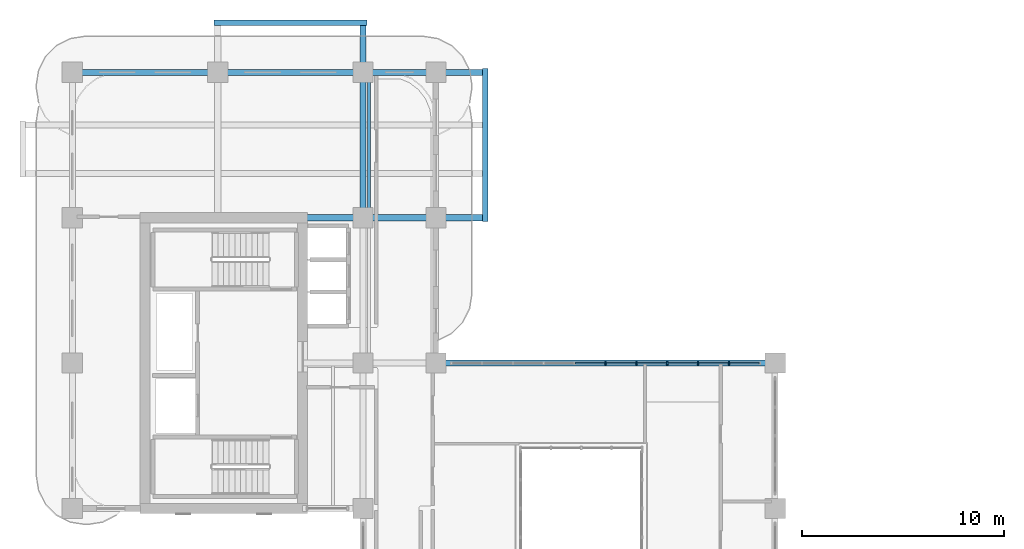
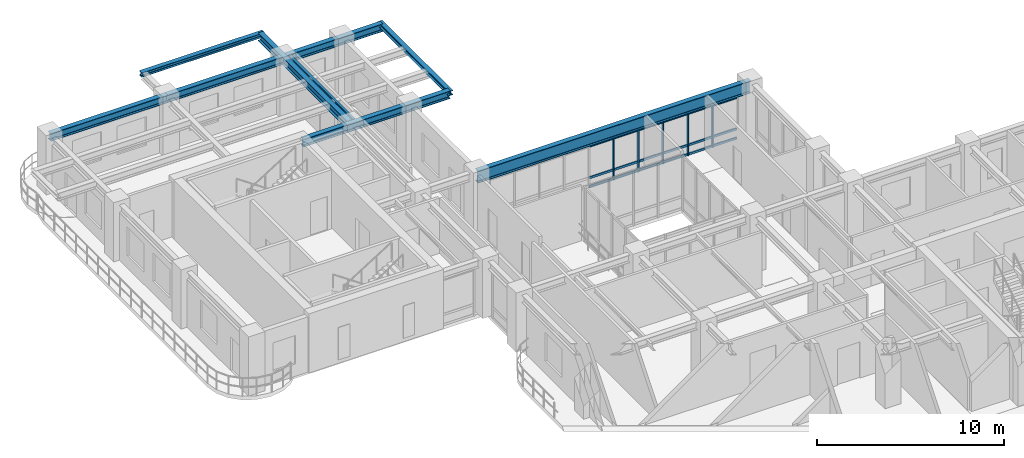
# One storey, part 6 of 19: 23 members, 8 beams, 1 element without a shape of its own.
"""IFC4 building model written with IfcOpenShell, lengths in metres."""

from ifc_helpers import new_model, si_unit, derived_unit, direction, frame, origin, origin_2d, place, context, subcontext, project, spatial, rectangle, i_section, extrude, source, transform, mapped, material, layer, layer_set, material_profile, profile_set, type_object, type_shapes, element, aggregate, save


model = new_model("IFC4")

# Units and contexts
model_context = context("Model", 3, precision=1e-05, world=origin(), true_north=direction((0.0, 1.0)))
body_context = subcontext(model_context, "Body", "Model", "MODEL_VIEW")
ifc_project = project(units=[si_unit("LENGTHUNIT", "METRE"), si_unit("AREAUNIT", "SQUARE_METRE"), si_unit("VOLUMEUNIT", "CUBIC_METRE"), si_unit("PLANEANGLEUNIT", "RADIAN"), si_unit("MASSUNIT", "GRAM", prefix="KILO"), si_unit("THERMODYNAMICTEMPERATUREUNIT", "KELVIN"), si_unit("POWERUNIT", "WATT"), derived_unit("THERMALTRANSMITTANCEUNIT", [(si_unit("POWERUNIT", "WATT"), 1), (si_unit("AREAUNIT", "SQUARE_METRE"), -1), (si_unit("THERMODYNAMICTEMPERATUREUNIT", "KELVIN"), -1)])], contexts=[model_context])

# Site, building, storey
site_placement = place(None, origin())
site = spatial("IfcSite", under=ifc_project, at=site_placement, CompositionType="ELEMENT")
building_placement = place(site_placement, origin())
building = spatial("IfcBuilding", under=site, at=building_placement, Name="Zahravan Archway Hotel and Residences", CompositionType="ELEMENT")
storey_placement = place(building_placement, frame((0.0, 0.0, 158.0)))
storey = spatial("IfcBuildingStorey", under=building, at=storey_placement, Name="L39", CompositionType="ELEMENT", Elevation=158.0)

# Beams
ifc_material_1 = material(Name="Structural Steel S355JR", Category="steel")
ifc_material_profile_1 = material_profile(ifc_material_1, i_section(OverallWidth=0.280029296875, OverallDepth=0.280029296875, WebThickness=0.010498046875, FlangeThickness=0.01806640625, FilletRadius=0.02392578125, at=origin_2d()), Name="HEB 280", Category="steel")
ifc_profile_set_1 = profile_set([ifc_material_profile_1], Name="Structural Steel S355JR")
beam_type_1 = type_object("IfcBeamType", Name="BM-SPN-HEB280", PredefinedType="SPANDREL", material=ifc_profile_set_1)
shared_shape_1 = source(origin(), body_context, "Body", "SweptSolid", [
    extrude(i_section(OverallWidth=0.280029296875, OverallDepth=0.280029296875, WebThickness=0.010498046875, FlangeThickness=0.01806640625, FilletRadius=0.02392578125, at=origin_2d()), origin(), (0.0, 0.0, 1.0), 7.56005859375),
])
type_shapes(beam_type_1, [shared_shape_1])
for number, where, z_axis, x_axis, name in (
    (1, (20.449951171875, 39.419921875, 3.4599609375), (0.0, 1.0, 0.0), (-1.0, 0.0, 0.0), "L40 EB Balcony Edge Spandrel"),
    (2, (7.02001953125, 49.25, 3.4599609375), (1.0, 0.0, 0.0), (0.0, 1.0, 0.0), "L40 NB Balcony Edge Spandrel"),
):
    element("IfcBeam", number, at=place(storey_placement, frame(where, z_axis=z_axis, x_axis=x_axis)), inside=storey, type_object=beam_type_1, Name=name, PredefinedType="SPANDREL", context=body_context, shape_type="MappedRepresentation", body=[
        mapped(shared_shape_1, transform((0.0, 0.0, 0.0), scale=1.0)),
    ])
ifc_material_2 = material(Name="Structural Steel S355J2", Category="steel")
ifc_material_profile_2 = material_profile(ifc_material_2, i_section(OverallWidth=0.300048828125, OverallDepth=0.800048828125, WebThickness=0.017578125, FlangeThickness=0.032958984375, FilletRadius=0.030029296875, at=origin_2d()), Name="HEB 800", Category="steel")
ifc_profile_set_2 = profile_set([ifc_material_profile_2], Name="Structural Steel S355J2")
beam_type_2 = type_object("IfcBeamType", Name="BM-PRI-HEB800", PredefinedType="BEAM", material=ifc_profile_set_2)
shared_shape_2 = source(origin(), body_context, "Body", "SweptSolid", [
    extrude(i_section(OverallWidth=0.300048828125, OverallDepth=0.800048828125, WebThickness=0.017578125, FlangeThickness=0.032958984375, FilletRadius=0.030029296875, at=origin_2d()), origin(), (0.0, 0.0, 1.0), 16.800048828125),
])
type_shapes(beam_type_2, [shared_shape_2])
beam_1_placement = place(storey_placement, frame((18.0, 32.39990234375, 3.199951171875), z_axis=(1.0, 0.0, 0.0), x_axis=(0.0, 1.0, 0.0)))
element("IfcBeam", 3, at=beam_1_placement, inside=storey, type_object=beam_type_2, Name="L39 Primary Girder EW-18", PredefinedType="BEAM", context=body_context, shape_type="MappedRepresentation", body=[
    mapped(shared_shape_2, transform((0.0, 0.0, 0.0), scale=1.0)),
])
ifc_material_profile_3 = material_profile(ifc_material_1, i_section(OverallWidth=0.300048828125, OverallDepth=0.5, WebThickness=0.014404296875, FlangeThickness=0.028076171875, FilletRadius=0.027099609375, at=origin_2d()), Name="HEB 500", Category="steel")
ifc_profile_set_3 = profile_set([ifc_material_profile_3], Name="Structural Steel S355JR")
beam_type_3 = type_object("IfcBeamType", Name="BM-PRI-HEB500", PredefinedType="BEAM", material=ifc_profile_set_3)
shared_shape_3 = source(origin(), body_context, "Body", "SweptSolid", [
    extrude(i_section(OverallWidth=0.300048828125, OverallDepth=0.5, WebThickness=0.014404296875, FlangeThickness=0.028076171875, FilletRadius=0.027099609375, at=origin_2d()), origin(), (0.0, 0.0, 1.0), 7.199951171875),
])
beam_2_placement = place(storey_placement, frame((0.0, 46.800048828125, 3.35009765625), z_axis=(1.0, 0.0, 0.0), x_axis=(0.0, 1.0, 0.0)))
element("IfcBeam", 4, at=beam_2_placement, inside=storey, type_object=beam_type_3, Name="L39 Primary Girder EW-20", PredefinedType="BEAM", context=body_context, shape_type="MappedRepresentation", body=[
    mapped(shared_shape_3, transform((0.0, 0.0, 0.0), scale=1.0)),
])
shared_shape_4 = source(origin(), body_context, "Body", "SweptSolid", [
    extrude(i_section(OverallWidth=0.300048828125, OverallDepth=0.5, WebThickness=0.014404296875, FlangeThickness=0.028076171875, FilletRadius=0.027099609375, at=origin_2d()), origin(), (0.0, 0.0, 1.0), 9.050048828125),
])
beam_3_placement = place(storey_placement, frame((11.39990234375, 39.60009765625, 3.35009765625), z_axis=(1.0, 0.0, 0.0), x_axis=(0.0, 1.0, 0.0)))
element("IfcBeam", 5, at=beam_3_placement, inside=storey, type_object=beam_type_3, Name="L39 Primary Girder EW-19", PredefinedType="BEAM", context=body_context, shape_type="MappedRepresentation", body=[
    mapped(shared_shape_4, transform((0.0, 0.0, 0.0), scale=1.0)),
])
shared_shape_5 = source(origin(), body_context, "Body", "SweptSolid", [
    extrude(i_section(OverallWidth=0.300048828125, OverallDepth=0.5, WebThickness=0.014404296875, FlangeThickness=0.028076171875, FilletRadius=0.027099609375, at=origin_2d()), origin(), (0.0, 0.0, 1.0), 13.25),
])
beam_4_placement = place(storey_placement, frame((7.199951171875, 46.800048828125, 3.35009765625), z_axis=(1.0, 0.0, 0.0), x_axis=(0.0, 1.0, 0.0)))
element("IfcBeam", 6, at=beam_4_placement, inside=storey, type_object=beam_type_3, Name="L39 Primary Girder EW-21", PredefinedType="BEAM", context=body_context, shape_type="MappedRepresentation", body=[
    mapped(shared_shape_5, transform((0.0, 0.0, 0.0), scale=1.0)),
])
shared_shape_6 = source(origin(), body_context, "Body", "SweptSolid", [
    extrude(i_section(OverallWidth=0.300048828125, OverallDepth=0.5, WebThickness=0.014404296875, FlangeThickness=0.028076171875, FilletRadius=0.027099609375, at=origin_2d()), origin(), (0.0, 0.0, 1.0), 9.64990234375),
])
beam_5_placement = place(storey_placement, frame((14.39990234375, 39.60009765625, 3.35009765625), z_axis=(0.0, 1.0, 0.0), x_axis=(-1.0, 0.0, 0.0)))
element("IfcBeam", 7, at=beam_5_placement, inside=storey, type_object=beam_type_3, Name="L39 Primary Girder NS-34", PredefinedType="BEAM", context=body_context, shape_type="MappedRepresentation", body=[
    mapped(shared_shape_6, transform((0.0, 0.0, 0.0), scale=1.0)),
])
ifc_material_profile_4 = material_profile(ifc_material_1, i_section(OverallWidth=0.14990234375, OverallDepth=0.300048828125, WebThickness=0.007080078125, FlangeThickness=0.0107421875, FilletRadius=0.014892578125, at=origin_2d()), Name="IPE 300", Category="steel")
ifc_profile_set_4 = profile_set([ifc_material_profile_4], Name="Structural Steel S355JR")
beam_type_4 = type_object("IfcBeamType", Name="BM-JST-IPE300", PredefinedType="JOIST", material=ifc_profile_set_4)
shared_shape_7 = source(origin(), body_context, "Body", "SweptSolid", [
    extrude(i_section(OverallWidth=0.14990234375, OverallDepth=0.300048828125, WebThickness=0.007080078125, FlangeThickness=0.0107421875, FilletRadius=0.014892578125, at=origin_2d()), origin(), (0.0, 0.0, 1.0), 6.904052734375),
])
type_shapes(beam_type_4, [shared_shape_7])
beam_6_placement = place(storey_placement, frame((14.699951171875, 39.748046875, 3.449951171875), z_axis=(0.0, 1.0, 0.0), x_axis=(-1.0, 0.0, 0.0)))
element("IfcBeam", 8, at=beam_6_placement, inside=storey, type_object=beam_type_4, Name="L39 Composite Floor Joist 12", PredefinedType="JOIST", context=body_context, shape_type="MappedRepresentation", body=[
    mapped(shared_shape_7, transform((0.0, 0.0, 0.0), scale=1.0)),
])

# Curtain wall, members
ifc_material_3 = material(Name="Bronze-Anodized Unitised Aluminium & Low-E Glass", Category="aluminium")
ifc_layer = layer(ifc_material_3, 0.179931640625, Name="Bronze-Anodized Unitised Aluminium & Low-E Glass", Category="aluminium")
ifc_layer_set = layer_set([ifc_layer], Name="Bronze-Anodized Unitised Aluminium & Low-E Glass")
curtain_wall_type = type_object("IfcCurtainWallType", Name="CW-ATR-GLAZ", PredefinedType="NOTDEFINED", material=ifc_layer_set)
curtain_wall_placement = place(storey_placement, origin())
curtain_wall = element("IfcCurtainWall", 9, at=curtain_wall_placement, inside=storey, type_object=curtain_wall_type, Name="L39 Curtain Wall CW-L39-HNG-N-1", PredefinedType="NOTDEFINED")
ifc_material_4 = material(Name="Bronze-Anodized Extruded Aluminium", Category="aluminium")
ifc_material_profile_5 = material_profile(ifc_material_4, rectangle(XDim=0.080078125, YDim=0.139892578125, at=origin_2d()), Name="TRN 80x140", Category="aluminium")
ifc_profile_set_5 = profile_set([ifc_material_profile_5], Name="Bronze-Anodized Extruded Aluminium")
member_type_1 = type_object("IfcMemberType", Name="CWM-TRN-140", PredefinedType="USERDEFINED", material=ifc_profile_set_5)
shared_shape_8 = source(origin(), body_context, "Body", "SweptSolid", [
    extrude(rectangle(XDim=0.080078125, YDim=0.139892578125, at=origin_2d()), origin(), (0.0, 0.0, 1.0), 1.447998046875),
])
member_1_placement = place(storey_placement, frame((24.912109375, 32.39990234375, 0.070068359375), z_axis=(1.0, 0.0, 0.0), x_axis=(0.0, 1.0, 0.0)))
member_1 = element("IfcMember", 10, at=member_1_placement, type_object=member_type_1, Name="CW-L39-HNG-N-1 Transom 4-1", ObjectType="TRANSOM", PredefinedType="USERDEFINED", context=body_context, shape_type="MappedRepresentation", body=[
    mapped(shared_shape_8, transform((0.0, 0.0, 0.0), scale=1.0)),
])
member_2_placement = place(storey_placement, frame((24.912109375, 32.39990234375, 0.66845703125), z_axis=(1.0, 0.0, 0.0), x_axis=(0.0, 1.0, 0.0)))
member_2 = element("IfcMember", 11, at=member_2_placement, type_object=member_type_1, Name="CW-L39-HNG-N-1 Transom 4-2", ObjectType="TRANSOM", PredefinedType="USERDEFINED", context=body_context, shape_type="MappedRepresentation", body=[
    mapped(shared_shape_8, transform((0.0, 0.0, 0.0), scale=1.0)),
])
member_3_placement = place(storey_placement, frame((24.912109375, 32.39990234375, 2.715087890625), z_axis=(1.0, 0.0, 0.0), x_axis=(0.0, 1.0, 0.0)))
member_3 = element("IfcMember", 12, at=member_3_placement, type_object=member_type_1, Name="CW-L39-HNG-N-1 Transom 4-3", ObjectType="TRANSOM", PredefinedType="USERDEFINED", context=body_context, shape_type="MappedRepresentation", body=[
    mapped(shared_shape_8, transform((0.0, 0.0, 0.0), scale=1.0)),
])
member_4_placement = place(storey_placement, frame((26.43994140625, 32.39990234375, 0.070068359375), z_axis=(1.0, 0.0, 0.0), x_axis=(0.0, 1.0, 0.0)))
member_4 = element("IfcMember", 13, at=member_4_placement, type_object=member_type_1, Name="CW-L39-HNG-N-1 Transom 5-1", ObjectType="TRANSOM", PredefinedType="USERDEFINED", context=body_context, shape_type="MappedRepresentation", body=[
    mapped(shared_shape_8, transform((0.0, 0.0, 0.0), scale=1.0)),
])
member_5_placement = place(storey_placement, frame((26.43994140625, 32.39990234375, 0.66845703125), z_axis=(1.0, 0.0, 0.0), x_axis=(0.0, 1.0, 0.0)))
member_5 = element("IfcMember", 14, at=member_5_placement, type_object=member_type_1, Name="CW-L39-HNG-N-1 Transom 5-2", ObjectType="TRANSOM", PredefinedType="USERDEFINED", context=body_context, shape_type="MappedRepresentation", body=[
    mapped(shared_shape_8, transform((0.0, 0.0, 0.0), scale=1.0)),
])
member_6_placement = place(storey_placement, frame((26.43994140625, 32.39990234375, 2.715087890625), z_axis=(1.0, 0.0, 0.0), x_axis=(0.0, 1.0, 0.0)))
member_6 = element("IfcMember", 15, at=member_6_placement, type_object=member_type_1, Name="CW-L39-HNG-N-1 Transom 5-3", ObjectType="TRANSOM", PredefinedType="USERDEFINED", context=body_context, shape_type="MappedRepresentation", body=[
    mapped(shared_shape_8, transform((0.0, 0.0, 0.0), scale=1.0)),
])
member_7_placement = place(storey_placement, frame((27.968017578125, 32.39990234375, 0.070068359375), z_axis=(1.0, 0.0, 0.0), x_axis=(0.0, 1.0, 0.0)))
member_7 = element("IfcMember", 16, at=member_7_placement, type_object=member_type_1, Name="CW-L39-HNG-N-1 Transom 6-1", ObjectType="TRANSOM", PredefinedType="USERDEFINED", context=body_context, shape_type="MappedRepresentation", body=[
    mapped(shared_shape_8, transform((0.0, 0.0, 0.0), scale=1.0)),
])
member_8_placement = place(storey_placement, frame((27.968017578125, 32.39990234375, 0.66845703125), z_axis=(1.0, 0.0, 0.0), x_axis=(0.0, 1.0, 0.0)))
member_8 = element("IfcMember", 17, at=member_8_placement, type_object=member_type_1, Name="CW-L39-HNG-N-1 Transom 6-2", ObjectType="TRANSOM", PredefinedType="USERDEFINED", context=body_context, shape_type="MappedRepresentation", body=[
    mapped(shared_shape_8, transform((0.0, 0.0, 0.0), scale=1.0)),
])
member_9_placement = place(storey_placement, frame((27.968017578125, 32.39990234375, 2.715087890625), z_axis=(1.0, 0.0, 0.0), x_axis=(0.0, 1.0, 0.0)))
member_9 = element("IfcMember", 18, at=member_9_placement, type_object=member_type_1, Name="CW-L39-HNG-N-1 Transom 6-3", ObjectType="TRANSOM", PredefinedType="USERDEFINED", context=body_context, shape_type="MappedRepresentation", body=[
    mapped(shared_shape_8, transform((0.0, 0.0, 0.0), scale=1.0)),
])
member_10_placement = place(storey_placement, frame((29.49609375, 32.39990234375, 0.070068359375), z_axis=(1.0, 0.0, 0.0), x_axis=(0.0, 1.0, 0.0)))
member_10 = element("IfcMember", 19, at=member_10_placement, type_object=member_type_1, Name="CW-L39-HNG-N-1 Transom 7-1", ObjectType="TRANSOM", PredefinedType="USERDEFINED", context=body_context, shape_type="MappedRepresentation", body=[
    mapped(shared_shape_8, transform((0.0, 0.0, 0.0), scale=1.0)),
])
member_11_placement = place(storey_placement, frame((29.49609375, 32.39990234375, 0.66845703125), z_axis=(1.0, 0.0, 0.0), x_axis=(0.0, 1.0, 0.0)))
member_11 = element("IfcMember", 20, at=member_11_placement, type_object=member_type_1, Name="CW-L39-HNG-N-1 Transom 7-2", ObjectType="TRANSOM", PredefinedType="USERDEFINED", context=body_context, shape_type="MappedRepresentation", body=[
    mapped(shared_shape_8, transform((0.0, 0.0, 0.0), scale=1.0)),
])
member_12_placement = place(storey_placement, frame((29.49609375, 32.39990234375, 2.715087890625), z_axis=(1.0, 0.0, 0.0), x_axis=(0.0, 1.0, 0.0)))
member_12 = element("IfcMember", 21, at=member_12_placement, type_object=member_type_1, Name="CW-L39-HNG-N-1 Transom 7-3", ObjectType="TRANSOM", PredefinedType="USERDEFINED", context=body_context, shape_type="MappedRepresentation", body=[
    mapped(shared_shape_8, transform((0.0, 0.0, 0.0), scale=1.0)),
])
member_13_placement = place(storey_placement, frame((31.02392578125, 32.39990234375, 0.070068359375), z_axis=(1.0, 0.0, 0.0), x_axis=(0.0, 1.0, 0.0)))
member_13 = element("IfcMember", 22, at=member_13_placement, type_object=member_type_1, Name="CW-L39-HNG-N-1 Transom 8-1", ObjectType="TRANSOM", PredefinedType="USERDEFINED", context=body_context, shape_type="MappedRepresentation", body=[
    mapped(shared_shape_8, transform((0.0, 0.0, 0.0), scale=1.0)),
])
member_14_placement = place(storey_placement, frame((31.02392578125, 32.39990234375, 0.66845703125), z_axis=(1.0, 0.0, 0.0), x_axis=(0.0, 1.0, 0.0)))
member_14 = element("IfcMember", 23, at=member_14_placement, type_object=member_type_1, Name="CW-L39-HNG-N-1 Transom 8-2", ObjectType="TRANSOM", PredefinedType="USERDEFINED", context=body_context, shape_type="MappedRepresentation", body=[
    mapped(shared_shape_8, transform((0.0, 0.0, 0.0), scale=1.0)),
])
member_15_placement = place(storey_placement, frame((31.02392578125, 32.39990234375, 2.715087890625), z_axis=(1.0, 0.0, 0.0), x_axis=(0.0, 1.0, 0.0)))
member_15 = element("IfcMember", 24, at=member_15_placement, type_object=member_type_1, Name="CW-L39-HNG-N-1 Transom 8-3", ObjectType="TRANSOM", PredefinedType="USERDEFINED", context=body_context, shape_type="MappedRepresentation", body=[
    mapped(shared_shape_8, transform((0.0, 0.0, 0.0), scale=1.0)),
])
member_16_placement = place(storey_placement, frame((32.552001953125, 32.39990234375, 0.070068359375), z_axis=(1.0, 0.0, 0.0), x_axis=(0.0, 1.0, 0.0)))
member_16 = element("IfcMember", 25, at=member_16_placement, type_object=member_type_1, Name="CW-L39-HNG-N-1 Transom 9-1", ObjectType="TRANSOM", PredefinedType="USERDEFINED", context=body_context, shape_type="MappedRepresentation", body=[
    mapped(shared_shape_8, transform((0.0, 0.0, 0.0), scale=1.0)),
])
member_17_placement = place(storey_placement, frame((32.552001953125, 32.39990234375, 0.66845703125), z_axis=(1.0, 0.0, 0.0), x_axis=(0.0, 1.0, 0.0)))
member_17 = element("IfcMember", 26, at=member_17_placement, type_object=member_type_1, Name="CW-L39-HNG-N-1 Transom 9-2", ObjectType="TRANSOM", PredefinedType="USERDEFINED", context=body_context, shape_type="MappedRepresentation", body=[
    mapped(shared_shape_8, transform((0.0, 0.0, 0.0), scale=1.0)),
])
member_18_placement = place(storey_placement, frame((32.552001953125, 32.39990234375, 2.715087890625), z_axis=(1.0, 0.0, 0.0), x_axis=(0.0, 1.0, 0.0)))
member_18 = element("IfcMember", 27, at=member_18_placement, type_object=member_type_1, Name="CW-L39-HNG-N-1 Transom 9-3", ObjectType="TRANSOM", PredefinedType="USERDEFINED", context=body_context, shape_type="MappedRepresentation", body=[
    mapped(shared_shape_8, transform((0.0, 0.0, 0.0), scale=1.0)),
])
ifc_material_profile_6 = material_profile(ifc_material_4, rectangle(XDim=0.080078125, YDim=0.159912109375, at=origin_2d()), Name="MUL 80x160", Category="aluminium")
ifc_profile_set_6 = profile_set([ifc_material_profile_6], Name="Bronze-Anodized Extruded Aluminium")
member_type_2 = type_object("IfcMemberType", Name="CWM-MUL-160", PredefinedType="MULLION", material=ifc_profile_set_6)
shared_shape_9 = source(origin(), body_context, "Body", "SweptSolid", [
    extrude(rectangle(XDim=0.080078125, YDim=0.159912109375, at=origin_2d()), origin(), (0.0, 0.0, 1.0), 2.784912109375),
])
member_19_placement = place(storey_placement, frame((26.39990234375, 32.39990234375, 0.0), z_axis=(0.0, 0.0, 1.0), x_axis=(1.0, 0.0, 0.0)))
member_19 = element("IfcMember", 28, at=member_19_placement, type_object=member_type_2, Name="CW-L39-HNG-N-1 Mullion 5", PredefinedType="MULLION", context=body_context, shape_type="MappedRepresentation", body=[
    mapped(shared_shape_9, transform((0.0, 0.0, 0.0), scale=1.0)),
])
member_20_placement = place(storey_placement, frame((27.927978515625, 32.39990234375, 0.0), z_axis=(0.0, 0.0, 1.0), x_axis=(1.0, 0.0, 0.0)))
member_20 = element("IfcMember", 29, at=member_20_placement, type_object=member_type_2, Name="CW-L39-HNG-N-1 Mullion 6", PredefinedType="MULLION", context=body_context, shape_type="MappedRepresentation", body=[
    mapped(shared_shape_9, transform((0.0, 0.0, 0.0), scale=1.0)),
])
member_21_placement = place(storey_placement, frame((29.4560546875, 32.39990234375, 0.0), z_axis=(0.0, 0.0, 1.0), x_axis=(1.0, 0.0, 0.0)))
member_21 = element("IfcMember", 30, at=member_21_placement, type_object=member_type_2, Name="CW-L39-HNG-N-1 Mullion 7", PredefinedType="MULLION", context=body_context, shape_type="MappedRepresentation", body=[
    mapped(shared_shape_9, transform((0.0, 0.0, 0.0), scale=1.0)),
])
member_22_placement = place(storey_placement, frame((30.98388671875, 32.39990234375, 0.0), z_axis=(0.0, 0.0, 1.0), x_axis=(1.0, 0.0, 0.0)))
member_22 = element("IfcMember", 31, at=member_22_placement, type_object=member_type_2, Name="CW-L39-HNG-N-1 Mullion 8", PredefinedType="MULLION", context=body_context, shape_type="MappedRepresentation", body=[
    mapped(shared_shape_9, transform((0.0, 0.0, 0.0), scale=1.0)),
])
member_23_placement = place(storey_placement, frame((32.511962890625, 32.39990234375, 0.0), z_axis=(0.0, 0.0, 1.0), x_axis=(1.0, 0.0, 0.0)))
member_23 = element("IfcMember", 32, at=member_23_placement, type_object=member_type_2, Name="CW-L39-HNG-N-1 Mullion 9", PredefinedType="MULLION", context=body_context, shape_type="MappedRepresentation", body=[
    mapped(shared_shape_9, transform((0.0, 0.0, 0.0), scale=1.0)),
])
aggregate(curtain_wall, [member_19, member_20, member_21, member_22, member_23, member_1, member_2, member_3, member_4, member_5, member_6, member_7, member_8, member_9, member_10, member_11, member_12, member_13, member_14, member_15, member_16, member_17, member_18])

save(model, "model.ifc")
